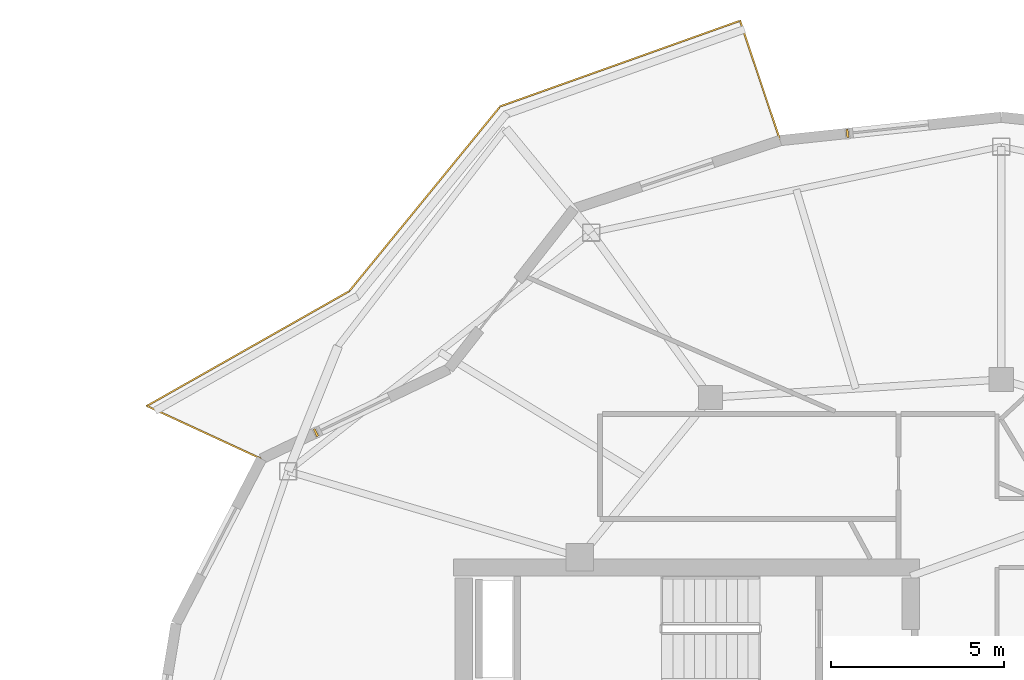
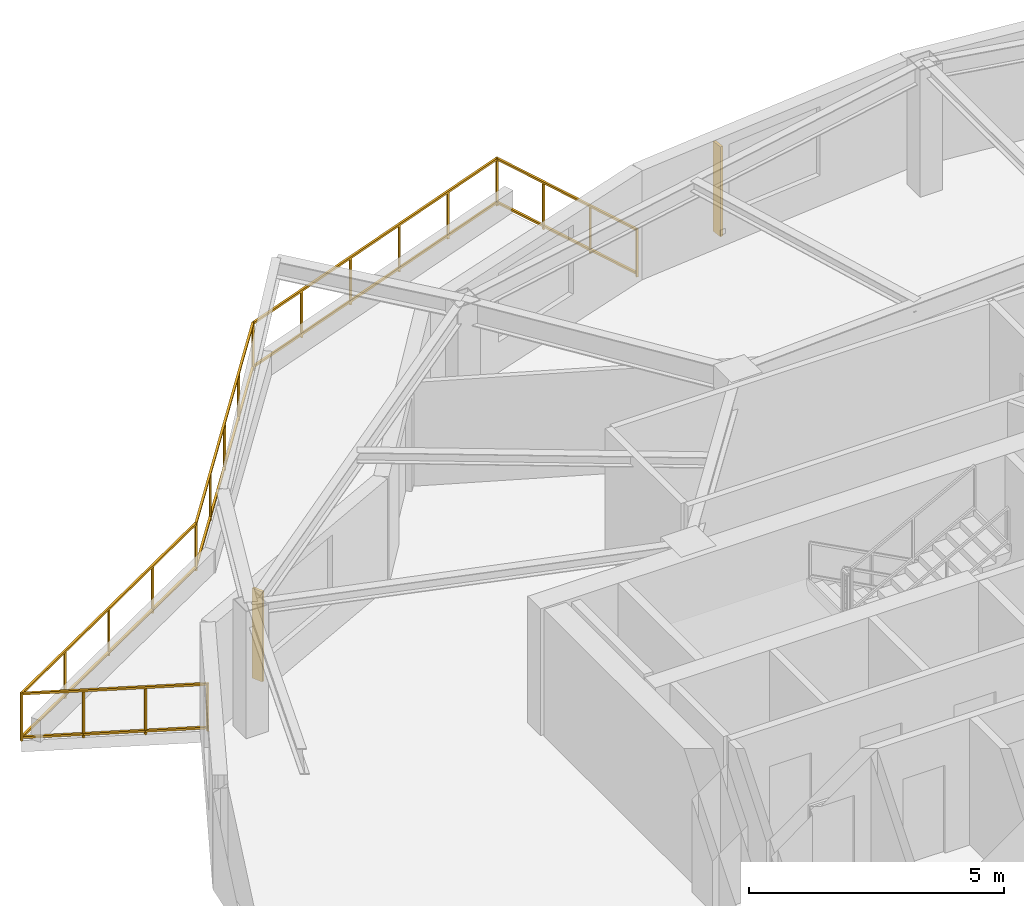
# One storey, part 21 of 21: 2 shading devices, 1 railing.
"""IFC4 building model written with IfcOpenShell, lengths in metres."""

from ifc_helpers import new_model, si_unit, direction, frame, origin, origin_2d, place, context, subcontext, project, spatial, rectangle, extrude, material, type_object, element, save


model = new_model("IFC4")

# Units and contexts
model_context = context("Model", 3, precision=1e-05, world=origin(), true_north=direction((0.0, 1.0)))
body_context = subcontext(model_context, "Body", "Model", "MODEL_VIEW")
ifc_project = project(units=[si_unit("LENGTHUNIT", "METRE"), si_unit("AREAUNIT", "SQUARE_METRE"), si_unit("VOLUMEUNIT", "CUBIC_METRE"), si_unit("PLANEANGLEUNIT", "RADIAN"), si_unit("MASSUNIT", "GRAM", prefix="KILO")], contexts=[model_context])

# Site, building, storey
site_placement = place(None, origin())
site = spatial("IfcSite", under=ifc_project, at=site_placement, CompositionType="ELEMENT")
building_placement = place(site_placement, origin())
building = spatial("IfcBuilding", under=site, at=building_placement, Name="Kolvaren Gate Tower and Convention Centre", CompositionType="ELEMENT")
storey_placement = place(building_placement, frame((0.0, 0.0, 226.10009765625)))
storey = spatial("IfcBuildingStorey", under=building, at=storey_placement, Name="L60", CompositionType="ELEMENT", Elevation=226.10009765625)

# Railing
ifc_material_1 = material(Name="Brushed Stainless Steel Grade 316L", Category="steel")
railing_type = type_object("IfcRailingType", Name="ARCH-RL-GUARD-1150", PredefinedType="GUARDRAIL", material=ifc_material_1)
railing_placement = place(storey_placement, frame((23.71923828125, 46.125244140625, 0.0)))
element("IfcRailing", 1, at=railing_placement, inside=storey, type_object=railing_type, Name="Tower L60 Terrace Perimeter Guardrail GR-1", PredefinedType="GUARDRAIL", context=body_context, shape_type="SweptSolid", body=[
    extrude(rectangle(XDim=0.048095703125, YDim=0.048095703125, at=origin_2d()), frame((-0.0087890625, 0.026611328125, 1.1259765625), z_axis=(-0.317588247294, 0.948228719867, 0.0), x_axis=(-0.948228719867, -0.317588247294, 0.0)), (0.0, 0.0, 1.0), 3.603759765625),
    extrude(rectangle(XDim=0.048095703125, YDim=0.048095703125, at=origin_2d()), frame((-0.0087890625, 0.026611328125, 0.083984375), z_axis=(-0.317588247294, 0.948228719867, 0.0), x_axis=(-0.948228719867, -0.317588247294, 0.0)), (0.0, 0.0, 1.0), 3.603759765625),
    extrude(rectangle(XDim=0.048095703125, YDim=0.048095703125, at=origin_2d()), frame((-1.188720703125, 3.4609375, 1.1259765625), z_axis=(-0.941783827204, -0.336219010197, 0.0), x_axis=(0.336219010197, -0.941783827204, 0.0)), (0.0, 0.0, 1.0), 7.322265625),
    extrude(rectangle(XDim=0.048095703125, YDim=0.048095703125, at=origin_2d()), frame((-1.188720703125, 3.4609375, 0.083984375), z_axis=(-0.941783827204, -0.336219010197, 0.0), x_axis=(0.336219010197, -0.941783827204, 0.0)), (0.0, 0.0, 1.0), 7.322265625),
    extrude(rectangle(XDim=0.048095703125, YDim=0.048095703125, at=origin_2d()), frame((-8.12890625, 0.968017578125, 1.1259765625), z_axis=(-0.632718487063, -0.77438189295, 0.0), x_axis=(0.77438189295, -0.632718487063, 0.0)), (0.0, 0.0, 1.0), 6.858154296875),
    extrude(rectangle(XDim=0.048095703125, YDim=0.048095703125, at=origin_2d()), frame((-8.12890625, 0.968017578125, 0.083984375), z_axis=(-0.632718487063, -0.77438189295, 0.0), x_axis=(0.77438189295, -0.632718487063, 0.0)), (0.0, 0.0, 1.0), 6.858154296875),
    extrude(rectangle(XDim=0.048095703125, YDim=0.048095703125, at=origin_2d()), frame((-12.51025390625, -4.37841796875, 1.1259765625), z_axis=(-0.869876155964, -0.493270182846, 0.0), x_axis=(0.493270182846, -0.869876155964, 0.0)), (0.0, 0.0, 1.0), 6.6865234375),
    extrude(rectangle(XDim=0.048095703125, YDim=0.048095703125, at=origin_2d()), frame((-12.51025390625, -4.37841796875, 0.083984375), z_axis=(-0.869876155964, -0.493270182846, 0.0), x_axis=(0.493270182846, -0.869876155964, 0.0)), (0.0, 0.0, 1.0), 6.6865234375),
    extrude(rectangle(XDim=0.048095703125, YDim=0.048095703125, at=origin_2d()), frame((-18.32568359375, -7.7021484375, 1.1259765625), z_axis=(0.907820723829, -0.419358478377, 0.0), x_axis=(0.419358478377, 0.907820723829, 0.0)), (0.0, 0.0, 1.0), 3.60400390625),
    extrude(rectangle(XDim=0.048095703125, YDim=0.048095703125, at=origin_2d()), frame((-18.32568359375, -7.7021484375, 0.083984375), z_axis=(0.907820723829, -0.419358478377, 0.0), x_axis=(0.419358478377, 0.907820723829, 0.0)), (0.0, 0.0, 1.0), 3.60400390625),
    extrude(rectangle(XDim=0.0419921875, YDim=0.0419921875, at=origin_2d()), origin(), (0.0, 0.0, 1.0), 1.14990234375),
    extrude(rectangle(XDim=0.0419921875, YDim=0.0419921875, at=origin_2d()), frame((-1.162353515625, 3.470458984375, 0.0)), (0.0, 0.0, 1.0), 1.14990234375),
    extrude(rectangle(XDim=0.0419921875, YDim=0.0419921875, at=origin_2d()), frame((-0.387451171875, 1.15673828125, 0.0)), (0.0, 0.0, 1.0), 1.099853515625),
    extrude(rectangle(XDim=0.0419921875, YDim=0.0419921875, at=origin_2d()), frame((-0.77490234375, 2.313720703125, 0.0)), (0.0, 0.0, 1.0), 1.099853515625),
    extrude(rectangle(XDim=0.0419921875, YDim=0.0419921875, at=origin_2d()), frame((-8.111083984375, 0.98974609375, 0.0)), (0.0, 0.0, 1.0), 1.14990234375),
    extrude(rectangle(XDim=0.0419921875, YDim=0.0419921875, at=origin_2d()), frame((-2.552001953125, 2.974365234375, 0.0)), (0.0, 0.0, 1.0), 1.099853515625),
    extrude(rectangle(XDim=0.0419921875, YDim=0.0419921875, at=origin_2d()), frame((-3.94189453125, 2.478271484375, 0.0)), (0.0, 0.0, 1.0), 1.099853515625),
    extrude(rectangle(XDim=0.0419921875, YDim=0.0419921875, at=origin_2d()), frame((-5.33154296875, 1.98193359375, 0.0)), (0.0, 0.0, 1.0), 1.099853515625),
    extrude(rectangle(XDim=0.0419921875, YDim=0.0419921875, at=origin_2d()), frame((-6.721435546875, 1.48583984375, 0.0)), (0.0, 0.0, 1.0), 1.099853515625),
    extrude(rectangle(XDim=0.0419921875, YDim=0.0419921875, at=origin_2d()), frame((-12.48583984375, -4.364501953125, 0.0)), (0.0, 0.0, 1.0), 1.14990234375),
    extrude(rectangle(XDim=0.0419921875, YDim=0.0419921875, at=origin_2d()), frame((-9.204833984375, -0.348876953125, 0.0)), (0.0, 0.0, 1.0), 1.099853515625),
    extrude(rectangle(XDim=0.0419921875, YDim=0.0419921875, at=origin_2d()), frame((-10.29833984375, -1.6875, 0.0)), (0.0, 0.0, 1.0), 1.099853515625),
    extrude(rectangle(XDim=0.0419921875, YDim=0.0419921875, at=origin_2d()), frame((-11.39208984375, -3.02587890625, 0.0)), (0.0, 0.0, 1.0), 1.099853515625),
    extrude(rectangle(XDim=0.0419921875, YDim=0.0419921875, at=origin_2d()), frame((-18.35107421875, -7.6904296875, 0.0)), (0.0, 0.0, 1.0), 1.14990234375),
    extrude(rectangle(XDim=0.0419921875, YDim=0.0419921875, at=origin_2d()), frame((-13.9521484375, -5.196044921875, 0.0)), (0.0, 0.0, 1.0), 1.099853515625),
    extrude(rectangle(XDim=0.0419921875, YDim=0.0419921875, at=origin_2d()), frame((-15.41845703125, -6.02734375, 0.0)), (0.0, 0.0, 1.0), 1.099853515625),
    extrude(rectangle(XDim=0.0419921875, YDim=0.0419921875, at=origin_2d()), frame((-16.884765625, -6.85888671875, 0.0)), (0.0, 0.0, 1.0), 1.099853515625),
    extrude(rectangle(XDim=0.0419921875, YDim=0.0419921875, at=origin_2d()), frame((-15.0283203125, -9.225341796875, 0.0)), (0.0, 0.0, 1.0), 1.14990234375),
    extrude(rectangle(XDim=0.0419921875, YDim=0.0419921875, at=origin_2d()), frame((-17.243408203125, -8.2021484375, 0.0)), (0.0, 0.0, 1.0), 1.099853515625),
    extrude(rectangle(XDim=0.0419921875, YDim=0.0419921875, at=origin_2d()), frame((-16.135986328125, -8.713623046875, 0.0)), (0.0, 0.0, 1.0), 1.099853515625),
])

# Shading devices
ifc_material_2 = material(Name="Kiln-Fired Bogota Terracotta Ceramic Louvre Profile", Category="masonry")
shading_device_type = type_object("IfcShadingDeviceType", Name="ARCH-SHD-FIN-180", PredefinedType="JALOUSIE", material=ifc_material_2)
for number, where, z_axis, x_axis, name in (
    (2, (25.66943359375, 46.330810546875, 0.219970703125), (0.0, 0.0, 1.0), (0.994498884311, 0.104747167526, 0.0), "Ceramic Vertical Brise-Soleil Fin FN-L60-06"),
    (3, (10.268310546875, 37.657958984375, 0.219970703125), (0.0, 0.0, 1.0), (0.90135914581, 0.433072384555, 0.0), "Ceramic Vertical Brise-Soleil Fin FN-L60-09"),
):
    element("IfcShadingDevice", number, at=place(storey_placement, frame(where, z_axis=z_axis, x_axis=x_axis)), inside=storey, type_object=shading_device_type, Name=name, PredefinedType="JALOUSIE", context=body_context, shape_type="SweptSolid", body=[
        extrude(rectangle(XDim=0.06005859375, YDim=0.239990234375, at=origin_2d()), origin(), (0.0, 0.0, 1.0), 2.14990234375),
    ])

save(model, "model.ifc")
